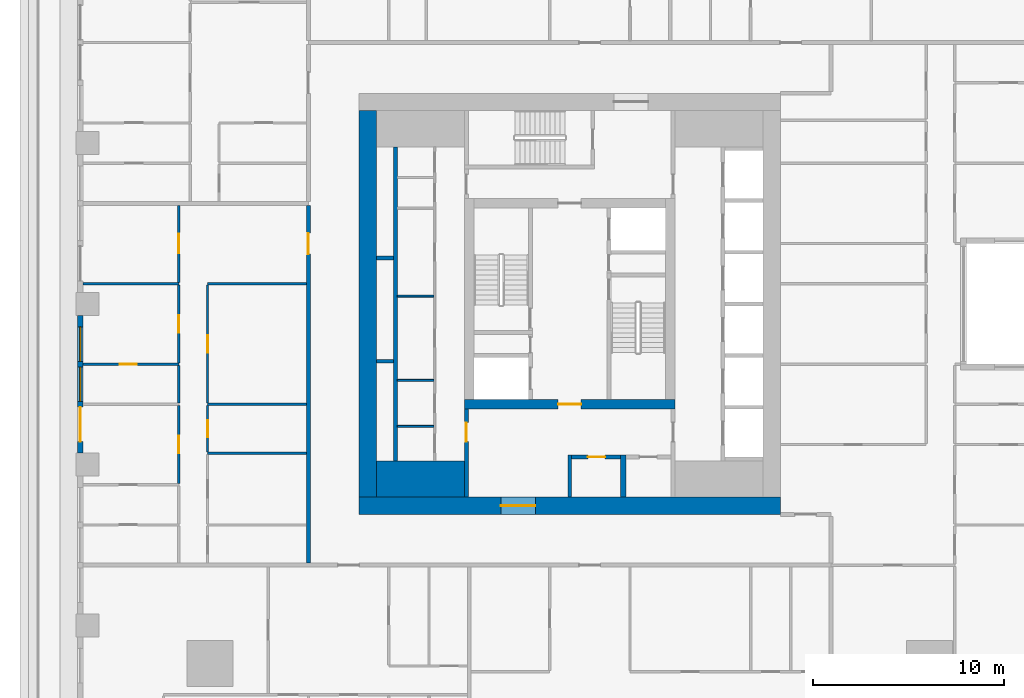
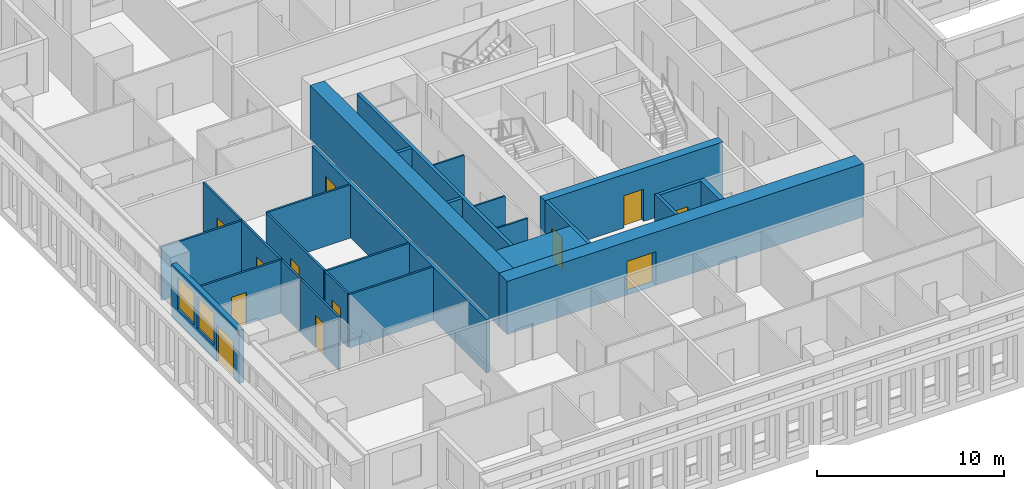
# One storey, part 3 of 16: 27 walls, 12 doors, 2 windows, 14 openings.
"""IFC4 building model written with IfcOpenShell, lengths in metres."""

from ifc_helpers import new_model, si_unit, direction, frame, frame_2d, origin, place, context, subcontext, project, spatial, rectangle, extrude, material, layer, layer_set, type_object, element, fill, save


model = new_model("IFC4")

# Units and contexts
model_context = context("Model", 3, precision=1e-05, world=origin(), true_north=direction((0.0, 1.0)))
body_context = subcontext(model_context, "Body", "Model", "MODEL_VIEW")
ifc_project = project(units=[si_unit("LENGTHUNIT", "METRE"), si_unit("AREAUNIT", "SQUARE_METRE"), si_unit("VOLUMEUNIT", "CUBIC_METRE"), si_unit("PLANEANGLEUNIT", "RADIAN"), si_unit("MASSUNIT", "GRAM", prefix="KILO")], contexts=[model_context])

# Site, building, storey
site_placement = place(None, origin())
site = spatial("IfcSite", under=ifc_project, at=site_placement, CompositionType="ELEMENT")
building_placement = place(site_placement, origin())
building = spatial("IfcBuilding", under=site, at=building_placement, Name="Khepri Terraces", CompositionType="ELEMENT")
storey_placement = place(building_placement, frame((0.0, 0.0, 192.300048828125)))
storey = spatial("IfcBuildingStorey", under=building, at=storey_placement, Name="L45", CompositionType="ELEMENT", Elevation=192.300048828125)

# Walls
ifc_material_1 = material(Name="Concrete C50/60", Category="concrete")
ifc_layer_1 = layer(ifc_material_1, 1.89990234375, Name="Concrete C50/60", Category="concrete")
ifc_layer_set_1 = layer_set([ifc_layer_1], Name="Concrete C50/60")
wall_type_1 = type_object("IfcWallType", Name="Core wall 1900 C50/60", PredefinedType="SHEAR", material=ifc_layer_set_1)
wall_1_placement = place(storey_placement, frame((-10.10009765625, -9.14990234375, 0.0), z_axis=(0.0, 0.0, 1.0), x_axis=(1.0, 0.0, 0.0)))
element("IfcWall", 1, at=wall_1_placement, inside=storey, type_object=wall_type_1, Name="Core wall PR01 L45", PredefinedType="SHEAR", context=body_context, shape_type="SweptSolid", body=[
    extrude(rectangle(XDim=4.60009765625, YDim=1.89990234375, at=frame_2d((2.300048828125, 0.0))), origin(), (0.0, 0.0, 1.0), 3.47998046875),
])
ifc_layer_2 = layer(ifc_material_1, 0.199951171875, Name="Concrete C50/60", Category="concrete")
ifc_layer_set_2 = layer_set([ifc_layer_2], Name="Concrete C50/60")
wall_type_2 = type_object("IfcWallType", Name="Core wall 200 C50/60", PredefinedType="SHEAR", material=ifc_layer_set_2)
wall_2_placement = place(storey_placement, frame((-9.10009765625, -8.199951171875, 0.0), z_axis=(0.0, 0.0, 1.0), x_axis=(0.0, 1.0, 0.0)))
element("IfcWall", 2, at=wall_2_placement, inside=storey, type_object=wall_type_2, Name="Core wall SH01 L45", PredefinedType="SHEAR", context=body_context, shape_type="SweptSolid", body=[
    extrude(rectangle(XDim=16.39990234375, YDim=0.199951171875, at=frame_2d((8.199951171875, 0.0))), origin(), (0.0, 0.0, 1.0), 3.47998046875),
])
for number, where, z_axis, x_axis, name in (
    (3, (-10.10009765625, -3.0, 0.0), (0.0, 0.0, 1.0), (1.0, 0.0, 0.0), "Core wall SH06 L45"),
    (4, (-10.10009765625, 2.39990234375, 0.0), (0.0, 0.0, 1.0), (1.0, 0.0, 0.0), "Core wall SH11 L45"),
):
    element("IfcWall", number, at=place(storey_placement, frame(where, z_axis=z_axis, x_axis=x_axis)), inside=storey, type_object=wall_type_2, Name=name, PredefinedType="SHEAR", context=body_context, shape_type="SweptSolid", body=[
        extrude(rectangle(XDim=0.900146484375, YDim=0.199951171875, at=frame_2d((0.4501953125, 0.0))), origin(), (0.0, 0.0, 1.0), 3.47998046875),
    ])

# Wall, opening, door
ifc_layer_3 = layer(ifc_material_1, 0.5, Name="Concrete C50/60", Category="concrete")
ifc_layer_set_3 = layer_set([ifc_layer_3], Name="Concrete C50/60")
wall_type_3 = type_object("IfcWallType", Name="Core wall 500 C50/60", PredefinedType="SHEAR", material=ifc_layer_set_3)
wall_3_placement = place(storey_placement, frame((-5.5, -5.25, 0.0), z_axis=(0.0, 0.0, 1.0), x_axis=(1.0, 0.0, 0.0)))
wall_3 = element("IfcWall", 5, at=wall_3_placement, inside=storey, type_object=wall_type_3, Name="Core wall BX01 L45", PredefinedType="SHEAR", context=body_context, shape_type="SweptSolid", body=[
    extrude(rectangle(XDim=11.0, YDim=0.5, at=frame_2d((5.5, 0.0))), origin(), (0.0, 0.0, 1.0), 3.47998046875),
])
opening_1_placement = place(wall_3_placement, frame((4.89990234375, 0.0, 0.0)))
opening_1 = element("IfcOpeningElement", 6, at=opening_1_placement, cuts=wall_3, Name="Opening L45-C14", PredefinedType="OPENING", context=body_context, shape_type="SweptSolid", body=[
    extrude(rectangle(XDim=1.199951171875, YDim=2.10009765625, at=frame_2d((0.60009765625, 1.050048828125))), frame((0.0, 0.260009765625, 0.0), z_axis=(0.0, -1.0, 0.0), x_axis=(1.0, 0.0, 0.0)), (0.0, 0.0, 1.0), 0.52001953125),
])
ifc_material_2 = material(Name="Painted steel", Category="steel")
door_type_1 = type_object("IfcDoorType", Name="DR-CORE-FF-LOBBY-1200", OperationType="NOTDEFINED", PredefinedType="DOOR", material=ifc_material_2)
door_1_placement = place(opening_1_placement, origin())
door_1 = element("IfcDoor", 7, at=door_1_placement, inside=storey, type_object=door_type_1, Name="Firefighting lobby door L45-C14", OperationType="SINGLE_SWING_RIGHT", OverallHeight=2.10009765625, OverallWidth=1.199951171875, PredefinedType="DOOR", context=body_context, shape_type="SweptSolid", body=[
    extrude(rectangle(XDim=1.199951171875, YDim=2.10009765625, at=frame_2d((0.60009765625, 1.050048828125))), frame((0.0, 0.02490234375, 0.0), z_axis=(0.0, -1.0, 0.0), x_axis=(1.0, 0.0, 0.0)), (0.0, 0.0, 1.0), 0.050048828125),
])
fill(opening_1, door_1)

ifc_layer_4 = layer(ifc_material_1, 0.89990234375, Name="Concrete C50/60", Category="concrete")
ifc_layer_set_4 = layer_set([ifc_layer_4], Name="Concrete C50/60")
wall_type_4 = type_object("IfcWallType", Name="Core wall 900 C50/60", PredefinedType="SHEAR", material=ifc_layer_set_4)
wall_4_placement = place(storey_placement, frame((-11.0, -10.550048828125, 0.0), z_axis=(0.0, 0.0, 1.0), x_axis=(1.0, 0.0, 0.0)))
wall_4 = element("IfcWall", 8, at=wall_4_placement, inside=storey, type_object=wall_type_4, Name="Core wall OW-S L45", PredefinedType="SHEAR", context=body_context, shape_type="SweptSolid", body=[
    extrude(rectangle(XDim=22.0, YDim=0.89990234375, at=frame_2d((11.0, 0.0))), origin(), (0.0, 0.0, 1.0), 3.47998046875),
])
opening_2_placement = place(wall_4_placement, frame((7.39990234375, 0.0, 0.0)))
opening_2 = element("IfcOpeningElement", 9, at=opening_2_placement, cuts=wall_4, Name="Opening L45-C21", PredefinedType="OPENING", context=body_context, shape_type="SweptSolid", body=[
    extrude(rectangle(XDim=1.800048828125, YDim=2.199951171875, at=frame_2d((0.89990234375, 1.10009765625))), frame((0.0, 0.4599609375, 0.0), z_axis=(0.0, -1.0, 0.0), x_axis=(1.0, 0.0, 0.0)), (0.0, 0.0, 1.0), 0.919921875),
])
door_type_2 = type_object("IfcDoorType", Name="DR-CORE-ENTRANCE-1800", OperationType="NOTDEFINED", PredefinedType="DOOR", material=ifc_material_2)
door_2_placement = place(opening_2_placement, frame((1.800048828125, 0.0, 0.0), z_axis=(0.0, 0.0, 1.0), x_axis=(-1.0, 0.0, 0.0)))
door_2 = element("IfcDoor", 10, at=door_2_placement, inside=storey, type_object=door_type_2, Name="Core entrance door pair L45-C21", OperationType="DOUBLE_DOOR_SINGLE_SWING", OverallHeight=2.199951171875, OverallWidth=1.800048828125, PredefinedType="DOOR", context=body_context, shape_type="SweptSolid", body=[
    extrude(rectangle(XDim=1.800048828125, YDim=2.199951171875, at=frame_2d((0.89990234375, 1.10009765625))), frame((0.0, 0.02490234375, 0.0), z_axis=(0.0, -1.0, 0.0), x_axis=(1.0, 0.0, 0.0)), (0.0, 0.0, 1.0), 0.050048828125),
])
fill(opening_2, door_2)

# Walls
wall_5_placement = place(storey_placement, frame((-10.550048828125, -10.10009765625, 0.0), z_axis=(0.0, 0.0, 1.0), x_axis=(0.0, 1.0, 0.0)))
element("IfcWall", 11, at=wall_5_placement, inside=storey, type_object=wall_type_4, Name="Core wall OW-W L45", PredefinedType="SHEAR", context=body_context, shape_type="SweptSolid", body=[
    extrude(rectangle(XDim=20.2001953125, YDim=0.89990234375, at=frame_2d((10.10009765625, 0.0))), origin(), (0.0, 0.0, 1.0), 3.47998046875),
])
ifc_material_3 = material(Name="Fire-rated gypsum board partition")
ifc_layer_5 = layer(ifc_material_3, 0.10009765625, Name="Fire-rated gypsum board partition")
ifc_layer_set_5 = layer_set([ifc_layer_5], Name="Fire-rated gypsum board partition")
wall_type_5 = type_object("IfcWallType", Name="WL-CORE-PART-100", PredefinedType="PARTITIONING", material=ifc_layer_set_5)
for number, where, z_axis, x_axis, name in (
    (12, (-9.0, -6.39990234375, 0.0), (0.0, 0.0, 1.0), (1.0, 0.0, 0.0), "Core partition PT08 L45"),
    (13, (-9.0, -4.0, 0.0), (0.0, 0.0, 1.0), (1.0, 0.0, 0.0), "Core partition PT09 L45"),
    (14, (-9.0, 0.39990234375, 0.0), (0.0, 0.0, 1.0), (1.0, 0.0, 0.0), "Core partition PT10 L45"),
):
    element("IfcWall", number, at=place(storey_placement, frame(where, z_axis=z_axis, x_axis=x_axis)), inside=storey, type_object=wall_type_5, Name=name, PredefinedType="PARTITIONING", context=body_context, shape_type="SweptSolid", body=[
        extrude(rectangle(XDim=1.89990234375, YDim=0.10009765625, at=frame_2d((0.949951171875, 0.0))), origin(), (0.0, 0.0, 1.0), 3.47998046875),
    ])

# Wall, opening, door
ifc_layer_6 = layer(ifc_material_3, 0.199951171875, Name="Fire-rated gypsum board partition")
ifc_layer_set_6 = layer_set([ifc_layer_6], Name="Fire-rated gypsum board partition")
wall_type_6 = type_object("IfcWallType", Name="WL-CORE-PART-200", PredefinedType="PARTITIONING", material=ifc_layer_set_6)
wall_6_placement = place(storey_placement, frame((-5.39990234375, -10.10009765625, 0.0), z_axis=(0.0, 0.0, 1.0), x_axis=(0.0, 1.0, 0.0)))
wall_6 = element("IfcWall", 15, at=wall_6_placement, inside=storey, type_object=wall_type_6, Name="Core partition PT01 L45", PredefinedType="PARTITIONING", context=body_context, shape_type="SweptSolid", body=[
    extrude(rectangle(XDim=4.60009765625, YDim=0.199951171875, at=frame_2d((2.300048828125, 0.0))), origin(), (0.0, 0.0, 1.0), 3.47998046875),
])
opening_3_placement = place(wall_6_placement, frame((2.89990234375, 0.0, 0.0)))
opening_3 = element("IfcOpeningElement", 16, at=opening_3_placement, cuts=wall_6, Name="Opening L45-C18", PredefinedType="OPENING", context=body_context, shape_type="SweptSolid", body=[
    extrude(rectangle(XDim=1.0, YDim=2.10009765625, at=frame_2d((0.5, 1.050048828125))), frame((0.0, 0.10986328125, 0.0), z_axis=(0.0, -1.0, 0.0), x_axis=(1.0, 0.0, 0.0)), (0.0, 0.0, 1.0), 0.219970703125),
])
door_type_3 = type_object("IfcDoorType", Name="DR-CORE-LOBBY-1000", OperationType="NOTDEFINED", PredefinedType="DOOR", material=ifc_material_2)
door_3_placement = place(opening_3_placement, frame((1.0, 0.0, 0.0), z_axis=(0.0, 0.0, 1.0), x_axis=(-1.0, 0.0, 0.0)))
door_3 = element("IfcDoor", 17, at=door_3_placement, inside=storey, type_object=door_type_3, Name="Lobby door L45-C18", OperationType="SINGLE_SWING_LEFT", OverallHeight=2.10009765625, OverallWidth=1.0, PredefinedType="DOOR", context=body_context, shape_type="SweptSolid", body=[
    extrude(rectangle(XDim=1.0, YDim=2.10009765625, at=frame_2d((0.5, 1.050048828125))), frame((0.0, 0.02490234375, 0.0), z_axis=(0.0, -1.0, 0.0), x_axis=(1.0, 0.0, 0.0)), (0.0, 0.0, 1.0), 0.050048828125),
])
fill(opening_3, door_3)

# Wall
wall_7_placement = place(storey_placement, frame((0.0, -10.10009765625, 0.0), z_axis=(0.0, 0.0, 1.0), x_axis=(0.0, 1.0, 0.0)))
element("IfcWall", 18, at=wall_7_placement, inside=storey, type_object=wall_type_6, Name="Core partition PT02 L45", PredefinedType="PARTITIONING", context=body_context, shape_type="SweptSolid", body=[
    extrude(rectangle(XDim=2.2001953125, YDim=0.199951171875, at=frame_2d((1.10009765625, 0.0))), origin(), (0.0, 0.0, 1.0), 3.47998046875),
])

# Wall, opening, door
wall_8_placement = place(storey_placement, frame((0.10009765625, -8.0, 0.0), z_axis=(0.0, 0.0, 1.0), x_axis=(1.0, 0.0, 0.0)))
wall_8 = element("IfcWall", 19, at=wall_8_placement, inside=storey, type_object=wall_type_6, Name="Core partition PT06 L45", PredefinedType="PARTITIONING", context=body_context, shape_type="SweptSolid", body=[
    extrude(rectangle(XDim=2.5498046875, YDim=0.199951171875, at=frame_2d((1.27490234375, 0.0))), origin(), (0.0, 0.0, 1.0), 3.47998046875),
])
opening_4_placement = place(wall_8_placement, frame((0.85009765625, 0.0, 0.0)))
opening_4 = element("IfcOpeningElement", 20, at=opening_4_placement, cuts=wall_8, Name="Opening L45-C22", PredefinedType="OPENING", context=body_context, shape_type="SweptSolid", body=[
    extrude(rectangle(XDim=0.89990234375, YDim=2.10009765625, at=frame_2d((0.449951171875, 1.050048828125))), frame((0.0, 0.10986328125, 0.0), z_axis=(0.0, -1.0, 0.0), x_axis=(1.0, 0.0, 0.0)), (0.0, 0.0, 1.0), 0.219970703125),
])
door_type_4 = type_object("IfcDoorType", Name="DR-CORE-SERVICE-900", OperationType="NOTDEFINED", PredefinedType="DOOR", material=ifc_material_2)
door_4_placement = place(opening_4_placement, frame((0.89990234375, 0.0, 0.0), z_axis=(0.0, 0.0, 1.0), x_axis=(-1.0, 0.0, 0.0)))
door_4 = element("IfcDoor", 21, at=door_4_placement, inside=storey, type_object=door_type_4, Name="Service room door L45-C22", OperationType="SINGLE_SWING_LEFT", OverallHeight=2.10009765625, OverallWidth=0.89990234375, PredefinedType="DOOR", context=body_context, shape_type="SweptSolid", body=[
    extrude(rectangle(XDim=0.89990234375, YDim=2.10009765625, at=frame_2d((0.449951171875, 1.050048828125))), frame((0.0, 0.02490234375, 0.0), z_axis=(0.0, -1.0, 0.0), x_axis=(1.0, 0.0, 0.0)), (0.0, 0.0, 1.0), 0.050048828125),
])
fill(opening_4, door_4)

# Wall
ifc_layer_7 = layer(ifc_material_3, 0.300048828125, Name="Fire-rated gypsum board partition")
ifc_layer_set_7 = layer_set([ifc_layer_7], Name="Fire-rated gypsum board partition")
wall_type_7 = type_object("IfcWallType", Name="WL-CORE-PART-300", PredefinedType="PARTITIONING", material=ifc_layer_set_7)
wall_9_placement = place(storey_placement, frame((2.800048828125, -10.10009765625, 0.0), z_axis=(0.0, 0.0, 1.0), x_axis=(0.0, 1.0, 0.0)))
element("IfcWall", 22, at=wall_9_placement, inside=storey, type_object=wall_type_7, Name="Core partition PT03 L45", PredefinedType="PARTITIONING", context=body_context, shape_type="SweptSolid", body=[
    extrude(rectangle(XDim=2.2001953125, YDim=0.300048828125, at=frame_2d((1.10009765625, 0.0))), origin(), (0.0, 0.0, 1.0), 3.47998046875),
])

# Wall, opening, door
ifc_material_4 = material(Name="Fire-rated gypsum plasterboard partition, mineral wool")
ifc_layer_8 = layer(ifc_material_4, 0.199951171875, Name="Fire-rated gypsum plasterboard partition, mineral wool")
ifc_layer_set_8 = layer_set([ifc_layer_8], Name="Fire-rated gypsum plasterboard partition, mineral wool")
wall_type_8 = type_object("IfcWallType", Name="WL-CORR-200", PredefinedType="PARTITIONING", material=ifc_layer_set_8)
wall_10_placement = place(storey_placement, frame((-13.64990234375, -13.550048828125, 0.0), z_axis=(0.0, 0.0, 1.0), x_axis=(0.0, 1.0, 0.0)))
wall_10 = element("IfcWall", 23, at=wall_10_placement, inside=storey, type_object=wall_type_8, Name="Partition P-030 L45", PredefinedType="PARTITIONING", context=body_context, shape_type="SweptSolid", body=[
    extrude(rectangle(XDim=18.699951171875, YDim=0.199951171875, at=frame_2d((9.35009765625, 0.0))), origin(), (0.0, 0.0, 1.0), 3.47998046875),
])
opening_5_placement = place(wall_10_placement, frame((16.14990234375, 0.0, 0.0)))
opening_5 = element("IfcOpeningElement", 24, at=opening_5_placement, cuts=wall_10, Name="Opening D1", PredefinedType="OPENING", context=body_context, shape_type="SweptSolid", body=[
    extrude(rectangle(XDim=1.10009765625, YDim=2.39990234375, at=frame_2d((0.550048828125, 1.199951171875))), frame((0.0, 0.10986328125, 0.0), z_axis=(0.0, -1.0, 0.0), x_axis=(1.0, 0.0, 0.0)), (0.0, 0.0, 1.0), 0.219970703125),
])
ifc_material_5 = material(Name="Solid-core timber door leaf, flat entrance door", Category="wood")
door_type_5 = type_object("IfcDoorType", Name="DR-ENT-1100", OperationType="NOTDEFINED", PredefinedType="DOOR", material=ifc_material_5)
door_5_placement = place(opening_5_placement, origin())
door_5 = element("IfcDoor", 25, at=door_5_placement, inside=storey, type_object=door_type_5, Name="Flat D2 entrance door", OperationType="SINGLE_SWING_RIGHT", OverallHeight=2.39990234375, OverallWidth=1.10009765625, PredefinedType="DOOR", context=body_context, shape_type="SweptSolid", body=[
    extrude(rectangle(XDim=1.10009765625, YDim=2.39990234375, at=frame_2d((0.550048828125, 1.199951171875))), frame((0.0, 0.02490234375, 0.0), z_axis=(0.0, -1.0, 0.0), x_axis=(1.0, 0.0, 0.0)), (0.0, 0.0, 1.0), 0.050048828125),
])
fill(opening_5, door_5)

# Wall, openings, door, windows
ifc_material_6 = material(Name="Precast concrete C50/60 warm stone", Category="masonry")
ifc_layer_9 = layer(ifc_material_6, 0.300048828125, Name="Precast concrete C50/60 warm stone", Category="masonry")
ifc_layer_set_9 = layer_set([ifc_layer_9], Name="Precast concrete C50/60 warm stone")
wall_type_9 = type_object("IfcWallType", Name="WL-EXT-PRECAST-300", PredefinedType="STANDARD", material=ifc_layer_set_9)
wall_11_placement = place(storey_placement, frame((-25.570068359375, -0.60009765625, 0.0), z_axis=(0.0, 0.0, 1.0), x_axis=(0.0, -1.0, 0.0)))
wall_11 = element("IfcWall", 26, at=wall_11_placement, inside=storey, type_object=wall_type_9, Name="External wall L45 W", PredefinedType="STANDARD", context=body_context, shape_type="SweptSolid", body=[
    extrude(rectangle(XDim=7.199951171875, YDim=0.300048828125, at=frame_2d((3.60009765625, 0.0))), origin(), (0.0, 0.0, 1.0), 3.47998046875),
])
opening_6_placement = place(wall_11_placement, frame((0.60009765625, 0.0, 0.89990234375)))
opening_6 = element("IfcOpeningElement", 27, at=opening_6_placement, cuts=wall_11, Name="Opening W1", PredefinedType="OPENING", context=body_context, shape_type="SweptSolid", body=[
    extrude(rectangle(XDim=1.800048828125, YDim=2.10009765625, at=frame_2d((0.89990234375, 1.050048828125))), frame((0.0, 0.16015625, 0.0), z_axis=(0.0, -1.0, 0.0), x_axis=(1.0, 0.0, 0.0)), (0.0, 0.0, 1.0), 0.320068359375),
])
opening_7_placement = place(wall_11_placement, frame((2.699951171875, 0.0, 0.89990234375)))
opening_7 = element("IfcOpeningElement", 28, at=opening_7_placement, cuts=wall_11, Name="Opening W1", PredefinedType="OPENING", context=body_context, shape_type="SweptSolid", body=[
    extrude(rectangle(XDim=1.800048828125, YDim=2.10009765625, at=frame_2d((0.89990234375, 1.050048828125))), frame((0.0, 0.16015625, 0.0), z_axis=(0.0, -1.0, 0.0), x_axis=(1.0, 0.0, 0.0)), (0.0, 0.0, 1.0), 0.320068359375),
])
opening_8_placement = place(wall_11_placement, frame((4.800048828125, 0.0, 0.0)))
opening_8 = element("IfcOpeningElement", 29, at=opening_8_placement, cuts=wall_11, Name="Opening ED-L45-15", PredefinedType="OPENING", context=body_context, shape_type="SweptSolid", body=[
    extrude(rectangle(XDim=1.800048828125, YDim=2.39990234375, at=frame_2d((0.89990234375, 1.199951171875))), frame((0.0, 0.16015625, 0.0), z_axis=(0.0, -1.0, 0.0), x_axis=(1.0, 0.0, 0.0)), (0.0, 0.0, 1.0), 0.320068359375),
])
ifc_material_7 = material(Name="Anodised aluminium bronze glazed door", Category="aluminium")
door_type_6 = type_object("IfcDoorType", Name="DR-BAL-SLIDE-1800x2400", OperationType="NOTDEFINED", PredefinedType="DOOR", material=ifc_material_7)
door_6_placement = place(opening_8_placement, origin())
door_6 = element("IfcDoor", 30, at=door_6_placement, inside=storey, type_object=door_type_6, Name="Balcony door L45 W", OperationType="SLIDING_TO_RIGHT", OverallHeight=2.39990234375, OverallWidth=1.800048828125, PredefinedType="DOOR", context=body_context, shape_type="SweptSolid", body=[
    extrude(rectangle(XDim=1.800048828125, YDim=2.39990234375, at=frame_2d((0.89990234375, 1.199951171875))), frame((0.0, 0.02490234375, 0.0), z_axis=(0.0, -1.0, 0.0), x_axis=(1.0, 0.0, 0.0)), (0.0, 0.0, 1.0), 0.050048828125),
])
fill(opening_8, door_6)
ifc_material_8 = material(Name="Clear glass", Category="glass")
window_type = type_object("IfcWindowType", Name="WIN-RES-1800x2100", PartitioningType="SINGLE_PANEL", PredefinedType="WINDOW", material=ifc_material_8)
window_1_placement = place(opening_6_placement, origin())
window_1 = element("IfcWindow", 31, at=window_1_placement, inside=storey, type_object=window_type, Name="Window L45 W", OverallHeight=2.10009765625, OverallWidth=1.800048828125, PartitioningType="SINGLE_PANEL", PredefinedType="WINDOW", context=body_context, shape_type="SweptSolid", body=[
    extrude(rectangle(XDim=1.800048828125, YDim=2.10009765625, at=frame_2d((0.89990234375, 1.050048828125))), frame((0.0, 0.030029296875, 0.0), z_axis=(0.0, -1.0, 0.0), x_axis=(1.0, 0.0, 0.0)), (0.0, 0.0, 1.0), 0.06005859375),
])
fill(opening_6, window_1)
window_2_placement = place(opening_7_placement, origin())
window_2 = element("IfcWindow", 32, at=window_2_placement, inside=storey, type_object=window_type, Name="Window L45 W", OverallHeight=2.10009765625, OverallWidth=1.800048828125, PartitioningType="SINGLE_PANEL", PredefinedType="WINDOW", context=body_context, shape_type="SweptSolid", body=[
    extrude(rectangle(XDim=1.800048828125, YDim=2.10009765625, at=frame_2d((0.89990234375, 1.050048828125))), frame((0.0, 0.030029296875, 0.0), z_axis=(0.0, -1.0, 0.0), x_axis=(1.0, 0.0, 0.0)), (0.0, 0.0, 1.0), 0.06005859375),
])
fill(opening_7, window_2)

# Wall, opening, door
ifc_material_9 = material(Name="Gypsum plasterboard partition")
ifc_layer_10 = layer(ifc_material_9, 0.1201171875, Name="Gypsum plasterboard partition")
ifc_layer_set_10 = layer_set([ifc_layer_10], Name="Gypsum plasterboard partition")
wall_type_10 = type_object("IfcWallType", Name="WL-PART-120", PredefinedType="PARTITIONING", material=ifc_layer_set_10)
wall_12_placement = place(storey_placement, frame((-20.419921875, -9.389892578125, 0.0), z_axis=(0.0, 0.0, 1.0), x_axis=(0.0, 1.0, 0.0)))
wall_12 = element("IfcWall", 33, at=wall_12_placement, inside=storey, type_object=wall_type_10, Name="Partition P-040 L45", PredefinedType="PARTITIONING", context=body_context, shape_type="SweptSolid", body=[
    extrude(rectangle(XDim=4.079833984375, YDim=0.1201171875, at=frame_2d((2.0400390625, 0.0))), origin(), (0.0, 0.0, 1.0), 3.47998046875),
])
opening_9_placement = place(wall_12_placement, frame((1.590087890625, 0.0, 0.0)))
opening_9 = element("IfcOpeningElement", 34, at=opening_9_placement, cuts=wall_12, Name="Opening D3", PredefinedType="OPENING", context=body_context, shape_type="SweptSolid", body=[
    extrude(rectangle(XDim=0.89990234375, YDim=2.10009765625, at=frame_2d((0.449951171875, 1.050048828125))), frame((0.0, 0.070068359375, 0.0), z_axis=(0.0, -1.0, 0.0), x_axis=(1.0, 0.0, 0.0)), (0.0, 0.0, 1.0), 0.14013671875),
])
ifc_material_10 = material(Name="Timber door leaf", Category="wood")
door_type_7 = type_object("IfcDoorType", Name="DR-INT-900", OperationType="NOTDEFINED", PredefinedType="DOOR", material=ifc_material_10)
door_7_placement = place(opening_9_placement, origin())
door_7 = element("IfcDoor", 35, at=door_7_placement, inside=storey, type_object=door_type_7, Name="Door Master Bedroom", OperationType="SINGLE_SWING_RIGHT", OverallHeight=2.10009765625, OverallWidth=0.89990234375, PredefinedType="DOOR", context=body_context, shape_type="SweptSolid", body=[
    extrude(rectangle(XDim=0.89990234375, YDim=2.10009765625, at=frame_2d((0.449951171875, 1.050048828125))), frame((0.0, 0.02490234375, 0.0), z_axis=(0.0, -1.0, 0.0), x_axis=(1.0, 0.0, 0.0)), (0.0, 0.0, 1.0), 0.050048828125),
])
fill(opening_9, door_7)

# Wall
wall_13_placement = place(storey_placement, frame((-18.919921875, -7.800048828125, 0.0), z_axis=(0.0, 0.0, 1.0), x_axis=(1.0, 0.0, 0.0)))
element("IfcWall", 36, at=wall_13_placement, inside=storey, type_object=wall_type_10, Name="Partition P-041 L45", PredefinedType="PARTITIONING", context=body_context, shape_type="SweptSolid", body=[
    extrude(rectangle(XDim=5.169921875, YDim=0.1201171875, at=frame_2d((2.5849609375, 0.0))), origin(), (0.0, 0.0, 1.0), 3.47998046875),
])

# Wall, opening, door
wall_14_placement = place(storey_placement, frame((-18.919921875, -7.739990234375, 0.0), z_axis=(0.0, 0.0, 1.0), x_axis=(0.0, 1.0, 0.0)))
wall_14 = element("IfcWall", 37, at=wall_14_placement, inside=storey, type_object=wall_type_10, Name="Partition P-042 L45", PredefinedType="PARTITIONING", context=body_context, shape_type="SweptSolid", body=[
    extrude(rectangle(XDim=2.429931640625, YDim=0.1201171875, at=frame_2d((1.21484375, 0.0))), origin(), (0.0, 0.0, 1.0), 3.47998046875),
])
opening_10_placement = place(wall_14_placement, frame((0.764892578125, 0.0, 0.0)))
opening_10 = element("IfcOpeningElement", 38, at=opening_10_placement, cuts=wall_14, Name="Opening D4", PredefinedType="OPENING", context=body_context, shape_type="SweptSolid", body=[
    extrude(rectangle(XDim=0.89990234375, YDim=2.10009765625, at=frame_2d((0.449951171875, 1.050048828125))), frame((0.0, 0.070068359375, 0.0), z_axis=(0.0, -1.0, 0.0), x_axis=(1.0, 0.0, 0.0)), (0.0, 0.0, 1.0), 0.14013671875),
])
ifc_material_11 = material(Name="Timber door leaf, moisture resistant", Category="wood")
door_type_8 = type_object("IfcDoorType", Name="DR-WET-900", OperationType="NOTDEFINED", PredefinedType="DOOR", material=ifc_material_11)
door_8_placement = place(opening_10_placement, frame((0.89990234375, 0.0, 0.0), z_axis=(0.0, 0.0, 1.0), x_axis=(-1.0, 0.0, 0.0)))
door_8 = element("IfcDoor", 39, at=door_8_placement, inside=storey, type_object=door_type_8, Name="Door Powder Room", OperationType="SINGLE_SWING_RIGHT", OverallHeight=2.10009765625, OverallWidth=0.89990234375, PredefinedType="DOOR", context=body_context, shape_type="SweptSolid", body=[
    extrude(rectangle(XDim=0.89990234375, YDim=2.10009765625, at=frame_2d((0.449951171875, 1.050048828125))), frame((0.0, 0.02490234375, 0.0), z_axis=(0.0, -1.0, 0.0), x_axis=(1.0, 0.0, 0.0)), (0.0, 0.0, 1.0), 0.050048828125),
])
fill(opening_10, door_8)

# Walls
wall_15_placement = place(storey_placement, frame((-18.919921875, -5.25, 0.0), z_axis=(0.0, 0.0, 1.0), x_axis=(1.0, 0.0, 0.0)))
element("IfcWall", 40, at=wall_15_placement, inside=storey, type_object=wall_type_10, Name="Partition P-048 L45", PredefinedType="PARTITIONING", context=body_context, shape_type="SweptSolid", body=[
    extrude(rectangle(XDim=5.169921875, YDim=0.1201171875, at=frame_2d((2.5849609375, 0.0))), origin(), (0.0, 0.0, 1.0), 3.47998046875),
])
wall_16_placement = place(storey_placement, frame((-20.419921875, -5.18994140625, 0.0), z_axis=(0.0, 0.0, 1.0), x_axis=(0.0, 1.0, 0.0)))
element("IfcWall", 41, at=wall_16_placement, inside=storey, type_object=wall_type_10, Name="Partition P-050 L45", PredefinedType="PARTITIONING", context=body_context, shape_type="SweptSolid", body=[
    extrude(rectangle(XDim=1.97998046875, YDim=0.1201171875, at=frame_2d((0.989990234375, 0.0))), origin(), (0.0, 0.0, 1.0), 3.47998046875),
])

# Wall, opening, door
wall_17_placement = place(storey_placement, frame((-18.919921875, -5.18994140625, 0.0), z_axis=(0.0, 0.0, 1.0), x_axis=(0.0, 1.0, 0.0)))
wall_17 = element("IfcWall", 42, at=wall_17_placement, inside=storey, type_object=wall_type_10, Name="Partition P-051 L45", PredefinedType="PARTITIONING", context=body_context, shape_type="SweptSolid", body=[
    extrude(rectangle(XDim=6.179931640625, YDim=0.1201171875, at=frame_2d((3.08984375, 0.0))), origin(), (0.0, 0.0, 1.0), 3.47998046875),
])
opening_11_placement = place(wall_17_placement, frame((2.639892578125, 0.0, 0.0)))
opening_11 = element("IfcOpeningElement", 43, at=opening_11_placement, cuts=wall_17, Name="Opening D3", PredefinedType="OPENING", context=body_context, shape_type="SweptSolid", body=[
    extrude(rectangle(XDim=0.89990234375, YDim=2.10009765625, at=frame_2d((0.449951171875, 1.050048828125))), frame((0.0, 0.070068359375, 0.0), z_axis=(0.0, -1.0, 0.0), x_axis=(1.0, 0.0, 0.0)), (0.0, 0.0, 1.0), 0.14013671875),
])
door_9_placement = place(opening_11_placement, frame((0.89990234375, 0.0, 0.0), z_axis=(0.0, 0.0, 1.0), x_axis=(-1.0, 0.0, 0.0)))
door_9 = element("IfcDoor", 44, at=door_9_placement, inside=storey, type_object=door_type_7, Name="Door Kitchen", OperationType="SINGLE_SWING_LEFT", OverallHeight=2.10009765625, OverallWidth=0.89990234375, PredefinedType="DOOR", context=body_context, shape_type="SweptSolid", body=[
    extrude(rectangle(XDim=0.89990234375, YDim=2.10009765625, at=frame_2d((0.449951171875, 1.050048828125))), frame((0.0, 0.02490234375, 0.0), z_axis=(0.0, -1.0, 0.0), x_axis=(1.0, 0.0, 0.0)), (0.0, 0.0, 1.0), 0.050048828125),
])
fill(opening_11, door_9)

wall_18_placement = place(storey_placement, frame((-25.419921875, -3.14990234375, 0.0), z_axis=(0.0, 0.0, 1.0), x_axis=(1.0, 0.0, 0.0)))
wall_18 = element("IfcWall", 45, at=wall_18_placement, inside=storey, type_object=wall_type_10, Name="Partition P-053 L45", PredefinedType="PARTITIONING", context=body_context, shape_type="SweptSolid", body=[
    extrude(rectangle(XDim=5.0, YDim=0.1201171875, at=frame_2d((2.5, 0.0))), origin(), (0.0, 0.0, 1.0), 3.47998046875),
])
opening_12_placement = place(wall_18_placement, frame((1.89990234375, 0.0, 0.0)))
opening_12 = element("IfcOpeningElement", 46, at=opening_12_placement, cuts=wall_18, Name="Opening D4", PredefinedType="OPENING", context=body_context, shape_type="SweptSolid", body=[
    extrude(rectangle(XDim=0.89990234375, YDim=2.10009765625, at=frame_2d((0.449951171875, 1.050048828125))), frame((0.0, 0.070068359375, 0.0), z_axis=(0.0, -1.0, 0.0), x_axis=(1.0, 0.0, 0.0)), (0.0, 0.0, 1.0), 0.14013671875),
])
door_10_placement = place(opening_12_placement, frame((0.89990234375, 0.0, 0.0), z_axis=(0.0, 0.0, 1.0), x_axis=(-1.0, 0.0, 0.0)))
door_10 = element("IfcDoor", 47, at=door_10_placement, inside=storey, type_object=door_type_8, Name="Door Bathroom", OperationType="SINGLE_SWING_RIGHT", OverallHeight=2.10009765625, OverallWidth=0.89990234375, PredefinedType="DOOR", context=body_context, shape_type="SweptSolid", body=[
    extrude(rectangle(XDim=0.89990234375, YDim=2.10009765625, at=frame_2d((0.449951171875, 1.050048828125))), frame((0.0, 0.02490234375, 0.0), z_axis=(0.0, -1.0, 0.0), x_axis=(1.0, 0.0, 0.0)), (0.0, 0.0, 1.0), 0.050048828125),
])
fill(opening_12, door_10)

wall_19_placement = place(storey_placement, frame((-20.419921875, -3.090087890625, 0.0), z_axis=(0.0, 0.0, 1.0), x_axis=(0.0, 1.0, 0.0)))
wall_19 = element("IfcWall", 48, at=wall_19_placement, inside=storey, type_object=wall_type_10, Name="Partition P-056 L45", PredefinedType="PARTITIONING", context=body_context, shape_type="SweptSolid", body=[
    extrude(rectangle(XDim=4.080078125, YDim=0.1201171875, at=frame_2d((2.0400390625, 0.0))), origin(), (0.0, 0.0, 1.0), 3.47998046875),
])
opening_13_placement = place(wall_19_placement, frame((1.590087890625, 0.0, 0.0)))
opening_13 = element("IfcOpeningElement", 49, at=opening_13_placement, cuts=wall_19, Name="Opening D3", PredefinedType="OPENING", context=body_context, shape_type="SweptSolid", body=[
    extrude(rectangle(XDim=0.89990234375, YDim=2.10009765625, at=frame_2d((0.449951171875, 1.050048828125))), frame((0.0, 0.070068359375, 0.0), z_axis=(0.0, -1.0, 0.0), x_axis=(1.0, 0.0, 0.0)), (0.0, 0.0, 1.0), 0.14013671875),
])
door_11_placement = place(opening_13_placement, origin())
door_11 = element("IfcDoor", 50, at=door_11_placement, inside=storey, type_object=door_type_7, Name="Door Bedroom", OperationType="SINGLE_SWING_RIGHT", OverallHeight=2.10009765625, OverallWidth=0.89990234375, PredefinedType="DOOR", context=body_context, shape_type="SweptSolid", body=[
    extrude(rectangle(XDim=0.89990234375, YDim=2.10009765625, at=frame_2d((0.449951171875, 1.050048828125))), frame((0.0, 0.02490234375, 0.0), z_axis=(0.0, -1.0, 0.0), x_axis=(1.0, 0.0, 0.0)), (0.0, 0.0, 1.0), 0.050048828125),
])
fill(opening_13, door_11)

# Walls
wall_20_placement = place(storey_placement, frame((-25.419921875, 1.050048828125, 0.0), z_axis=(0.0, 0.0, 1.0), x_axis=(1.0, 0.0, 0.0)))
element("IfcWall", 51, at=wall_20_placement, inside=storey, type_object=wall_type_10, Name="Partition P-058 L45", PredefinedType="PARTITIONING", context=body_context, shape_type="SweptSolid", body=[
    extrude(rectangle(XDim=5.0, YDim=0.1201171875, at=frame_2d((2.5, 0.0))), origin(), (0.0, 0.0, 1.0), 3.47998046875),
])
wall_21_placement = place(storey_placement, frame((-18.919921875, 1.050048828125, 0.0), z_axis=(0.0, 0.0, 1.0), x_axis=(1.0, 0.0, 0.0)))
element("IfcWall", 52, at=wall_21_placement, inside=storey, type_object=wall_type_10, Name="Partition P-059 L45", PredefinedType="PARTITIONING", context=body_context, shape_type="SweptSolid", body=[
    extrude(rectangle(XDim=5.169921875, YDim=0.1201171875, at=frame_2d((2.5849609375, 0.0))), origin(), (0.0, 0.0, 1.0), 3.47998046875),
])

# Wall, opening, door
wall_22_placement = place(storey_placement, frame((-20.419921875, 1.110107421875, 0.0), z_axis=(0.0, 0.0, 1.0), x_axis=(0.0, 1.0, 0.0)))
wall_22 = element("IfcWall", 53, at=wall_22_placement, inside=storey, type_object=wall_type_10, Name="Partition P-061 L45", PredefinedType="PARTITIONING", context=body_context, shape_type="SweptSolid", body=[
    extrude(rectangle(XDim=4.039794921875, YDim=0.1201171875, at=frame_2d((2.02001953125, 0.0))), origin(), (0.0, 0.0, 1.0), 3.47998046875),
])
opening_14_placement = place(wall_22_placement, frame((1.5400390625, 0.0, 0.0)))
opening_14 = element("IfcOpeningElement", 54, at=opening_14_placement, cuts=wall_22, Name="Opening D2", PredefinedType="OPENING", context=body_context, shape_type="SweptSolid", body=[
    extrude(rectangle(XDim=1.0, YDim=2.10009765625, at=frame_2d((0.5, 1.050048828125))), frame((0.0, 0.070068359375, 0.0), z_axis=(0.0, -1.0, 0.0), x_axis=(1.0, 0.0, 0.0)), (0.0, 0.0, 1.0), 0.14013671875),
])
ifc_material_12 = material(Name="Timber door leaf, living room door", Category="wood")
door_type_9 = type_object("IfcDoorType", Name="DR-INT-1000", OperationType="NOTDEFINED", PredefinedType="DOOR", material=ifc_material_12)
door_12_placement = place(opening_14_placement, origin())
door_12 = element("IfcDoor", 55, at=door_12_placement, inside=storey, type_object=door_type_9, Name="Door Living Room", OperationType="SINGLE_SWING_RIGHT", OverallHeight=2.10009765625, OverallWidth=1.0, PredefinedType="DOOR", context=body_context, shape_type="SweptSolid", body=[
    extrude(rectangle(XDim=1.0, YDim=2.10009765625, at=frame_2d((0.5, 1.050048828125))), frame((0.0, 0.02490234375, 0.0), z_axis=(0.0, -1.0, 0.0), x_axis=(1.0, 0.0, 0.0)), (0.0, 0.0, 1.0), 0.050048828125),
])
fill(opening_14, door_12)

save(model, "model.ifc")
